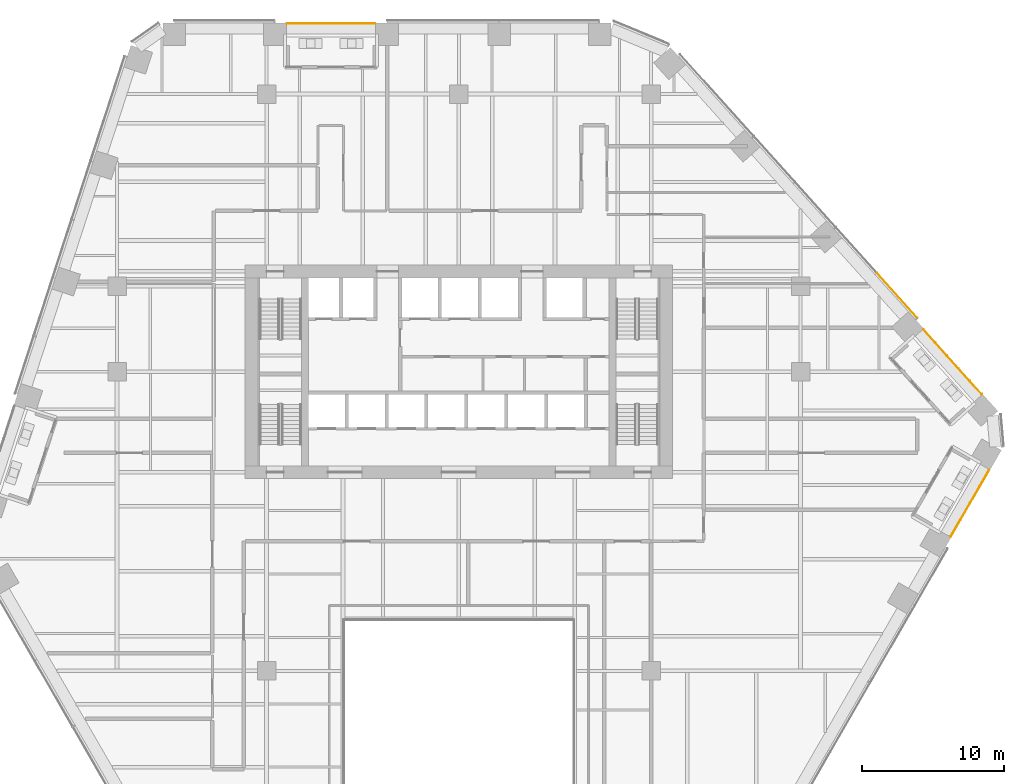
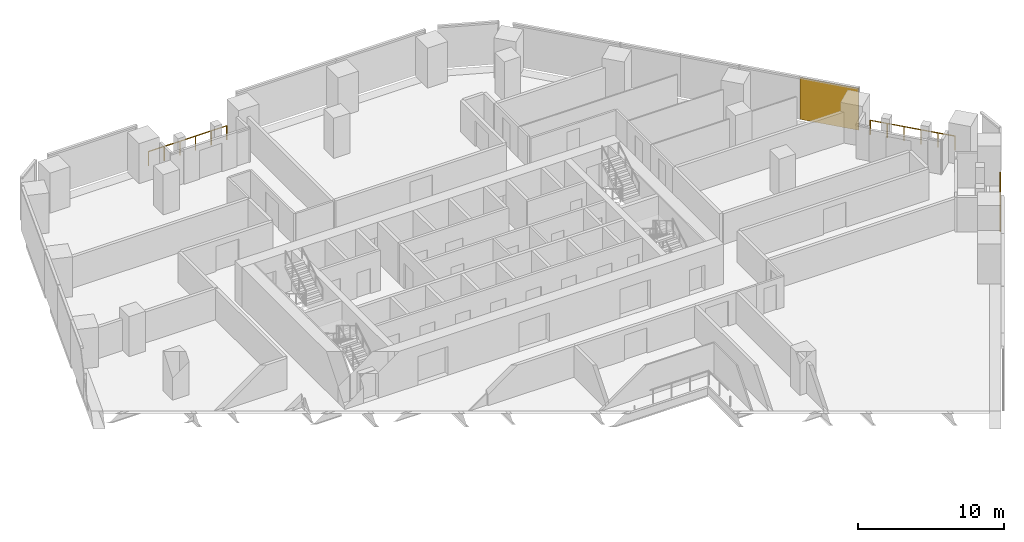
# One storey, part 30 of 31: 3 railings, 1 covering, 1 element without a shape of its own.
"""IFC4 building model written with IfcOpenShell, lengths in metres."""

from ifc_helpers import new_model, si_unit, direction, frame, origin, origin_2d, place, context, subcontext, project, spatial, rectangle, circle, extrude, material, layer, layer_set, type_object, element, aggregate, save


model = new_model("IFC4")

# Units and contexts
model_context = context("Model", 3, precision=1e-05, world=origin(), true_north=direction((0.0, 1.0)))
body_context = subcontext(model_context, "Body", "Model", "MODEL_VIEW")
ifc_project = project(units=[si_unit("LENGTHUNIT", "METRE"), si_unit("AREAUNIT", "SQUARE_METRE"), si_unit("VOLUMEUNIT", "CUBIC_METRE"), si_unit("PLANEANGLEUNIT", "RADIAN"), si_unit("MASSUNIT", "GRAM", prefix="KILO")], contexts=[model_context])

# Site, building, storey
site_placement = place(None, origin())
site = spatial("IfcSite", under=ifc_project, at=site_placement, CompositionType="ELEMENT")
building_placement = place(site_placement, origin())
building = spatial("IfcBuilding", under=site, at=building_placement, Name="Isthmus Gate Tower", CompositionType="ELEMENT")
storey_placement = place(building_placement, frame((0.0, 0.0, 113.5)))
storey = spatial("IfcBuildingStorey", under=building, at=storey_placement, Name="L27", CompositionType="ELEMENT", Elevation=113.5)

# Curtain wall, covering
ifc_material_1 = material(Name="Aluminium, pale champagne anodised", Category="aluminium")
ifc_layer_1 = layer(ifc_material_1, 0.199951171875)
ifc_layer_set_1 = layer_set([ifc_layer_1], Name="CW-1 UNITISED CURTAIN WALL 200 DEEP")
curtain_wall_type = type_object("IfcCurtainWallType", Name="CW-1 UNITISED CURTAIN WALL 200 DEEP", PredefinedType="NOTDEFINED", material=ifc_layer_set_1)
curtain_wall_placement = place(storey_placement, origin())
curtain_wall = element("IfcCurtainWall", 1, at=curtain_wall_placement, inside=storey, type_object=curtain_wall_type, Name="CW-1 NE L27", PredefinedType="NOTDEFINED")
ifc_material_2 = material(Name="Aluminium composite panel, pale champagne anodised", Category="aluminium")
ifc_layer_2 = layer(ifc_material_2, 0.0400390625)
ifc_layer_set_2 = layer_set([ifc_layer_2], Name="CW-1 PALE METAL PANEL 40")
covering_type = type_object("IfcCoveringType", Name="CW-1 PALE METAL PANEL 40", PredefinedType="CLADDING", material=ifc_layer_set_2)
covering_placement = place(storey_placement, frame((30.7841796875, 12.85791015625, 0.0), z_axis=(0.0, 0.0, 1.0), x_axis=(-0.669130606359, 0.743144825477, 0.0)))
covering = element("IfcCovering", 2, at=covering_placement, type_object=covering_type, Name="CW-1 pale metal panel", PredefinedType="CLADDING", context=body_context, shape_type="SweptSolid", body=[
    extrude(rectangle(XDim=4.234619140625, YDim=0.0400390625, at=origin_2d()), origin(), (0.0, 0.0, 1.0), 3.5),
])
aggregate(curtain_wall, [covering])

# Railings
ifc_material_3 = material(Name="Toughened laminated glass with stainless steel posts", Category="steel")
railing_type = type_object("IfcRailingType", Name="GUARD 1200 FRAMELESS GLASS", PredefinedType="GUARDRAIL", material=ifc_material_3)
railing_1_placement = place(storey_placement, frame((-5.877197265625, 31.949951171875, 0.0)))
element("IfcRailing", 3, at=railing_1_placement, inside=storey, type_object=railing_type, Name="LOGGIA GUARD", PredefinedType="GUARDRAIL", context=body_context, shape_type="SweptSolid", body=[
    extrude(circle(Radius=0.02490234375, at=origin_2d()), frame((0.0, 0.0, 1.1748046875), z_axis=(-1.0, 0.0, 0.0), x_axis=(0.0, -1.0, 0.0)), (0.0, 0.0, 1.0), 6.189453125),
    extrude(circle(Radius=0.02490234375, at=origin_2d()), origin(), (0.0, 0.0, 1.0), 1.14990234375),
    extrude(circle(Radius=0.02490234375, at=origin_2d()), frame((-1.23779296875, 0.0, 0.0)), (0.0, 0.0, 1.0), 1.14990234375),
    extrude(circle(Radius=0.02490234375, at=origin_2d()), frame((-2.475830078125, 0.0, 0.0)), (0.0, 0.0, 1.0), 1.14990234375),
    extrude(circle(Radius=0.02490234375, at=origin_2d()), frame((-3.713623046875, 0.0, 0.0)), (0.0, 0.0, 1.0), 1.14990234375),
    extrude(circle(Radius=0.02490234375, at=origin_2d()), frame((-4.95166015625, 0.0, 0.0)), (0.0, 0.0, 1.0), 1.14990234375),
    extrude(circle(Radius=0.02490234375, at=origin_2d()), frame((-6.189453125, 0.0, 0.0)), (0.0, 0.0, 1.0), 1.14990234375),
])
railing_2_placement = place(storey_placement, frame((34.54296875, -4.070068359375, 0.0)))
element("IfcRailing", 4, at=railing_2_placement, inside=storey, type_object=railing_type, Name="LOGGIA GUARD", PredefinedType="GUARDRAIL", context=body_context, shape_type="SweptSolid", body=[
    extrude(circle(Radius=0.02490234375, at=origin_2d()), frame((0.0, 0.0, 1.1748046875), z_axis=(0.499973416292, 0.866040751352, 0.0), x_axis=(-0.866040751352, 0.499973416292, 0.0)), (0.0, 0.0, 1.0), 5.389404296875),
    extrude(circle(Radius=0.02490234375, at=origin_2d()), origin(), (0.0, 0.0, 1.0), 1.14990234375),
    extrude(circle(Radius=0.02490234375, at=origin_2d()), frame((0.673583984375, 1.1669921875, 0.0)), (0.0, 0.0, 1.0), 1.14990234375),
    extrude(circle(Radius=0.02490234375, at=origin_2d()), frame((1.34716796875, 2.333740234375, 0.0)), (0.0, 0.0, 1.0), 1.14990234375),
    extrude(circle(Radius=0.02490234375, at=origin_2d()), frame((2.02099609375, 3.50048828125, 0.0)), (0.0, 0.0, 1.0), 1.14990234375),
    extrude(circle(Radius=0.02490234375, at=origin_2d()), frame((2.694580078125, 4.66748046875, 0.0)), (0.0, 0.0, 1.0), 1.14990234375),
])
railing_3_placement = place(storey_placement, frame((36.72021484375, 5.921630859375, 0.0)))
element("IfcRailing", 5, at=railing_3_placement, inside=storey, type_object=railing_type, Name="LOGGIA GUARD", PredefinedType="GUARDRAIL", context=body_context, shape_type="SweptSolid", body=[
    extrude(circle(Radius=0.02490234375, at=origin_2d()), frame((0.0, 0.0, 1.1748046875), z_axis=(-0.669154581908, 0.743123237096, 0.0), x_axis=(-0.743123237096, -0.669154581908, 0.0)), (0.0, 0.0, 1.0), 6.109375),
    extrude(circle(Radius=0.02490234375, at=origin_2d()), origin(), (0.0, 0.0, 1.0), 1.14990234375),
    extrude(circle(Radius=0.02490234375, at=origin_2d()), frame((-0.817626953125, 0.907958984375, 0.0)), (0.0, 0.0, 1.0), 1.14990234375),
    extrude(circle(Radius=0.02490234375, at=origin_2d()), frame((-1.63525390625, 1.81591796875, 0.0)), (0.0, 0.0, 1.0), 1.14990234375),
    extrude(circle(Radius=0.02490234375, at=origin_2d()), frame((-2.452880859375, 2.72412109375, 0.0)), (0.0, 0.0, 1.0), 1.14990234375),
    extrude(circle(Radius=0.02490234375, at=origin_2d()), frame((-3.2705078125, 3.632080078125, 0.0)), (0.0, 0.0, 1.0), 1.14990234375),
    extrude(circle(Radius=0.02490234375, at=origin_2d()), frame((-4.088134765625, 4.5400390625, 0.0)), (0.0, 0.0, 1.0), 1.14990234375),
])

save(model, "model.ifc")
